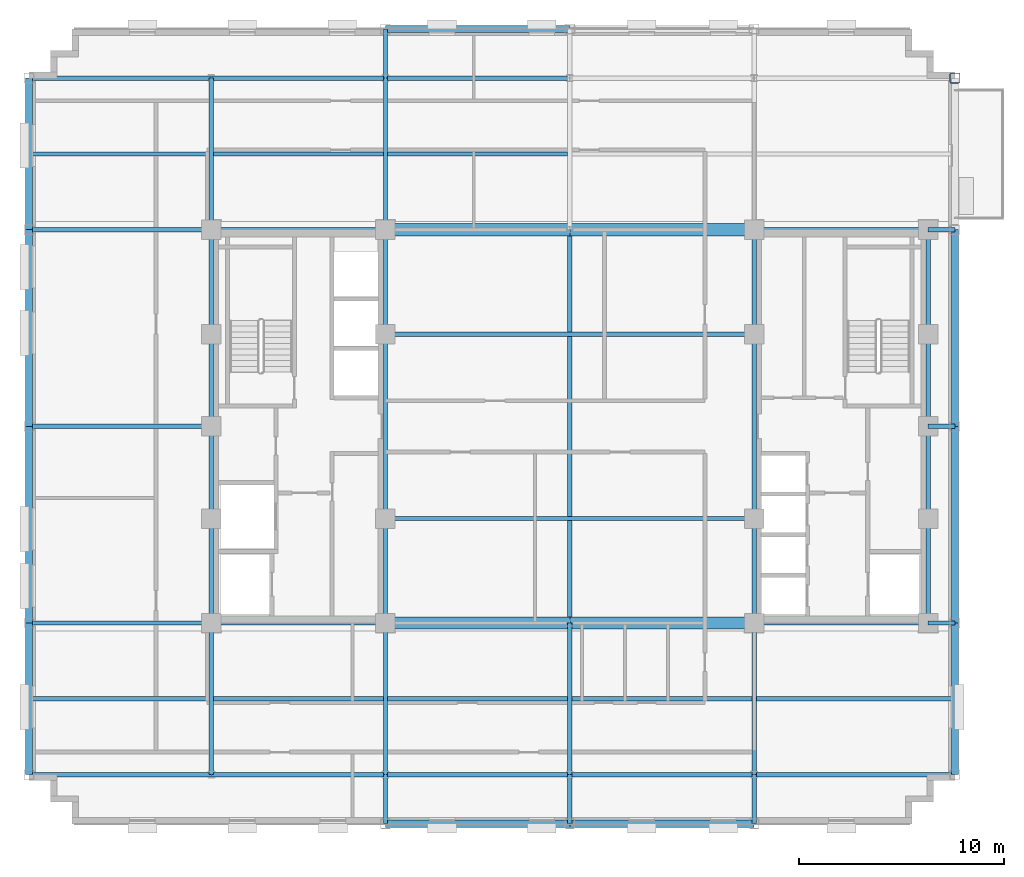
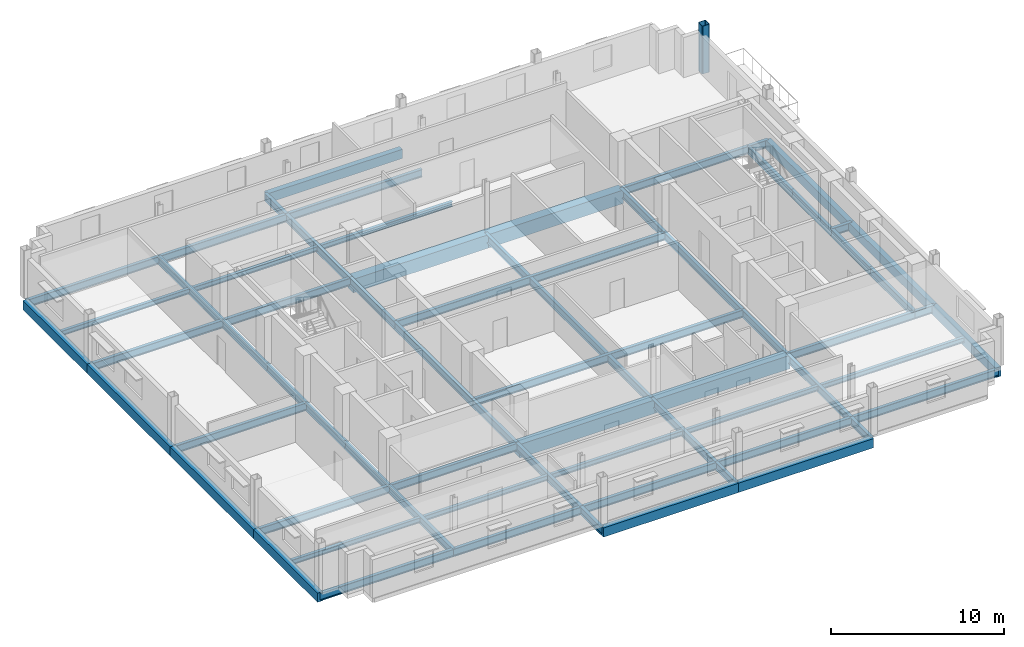
# One storey, part 4 of 13: 67 beams, 1 column.
"""IFC4 building model written with IfcOpenShell, lengths in metres."""

from ifc_helpers import new_model, si_unit, direction, frame, origin, origin_2d, place, context, subcontext, project, spatial, rectangle, hollow_rectangle, i_section, extrude, material, material_profile, profile_set, type_object, element, save


model = new_model("IFC4")

# Units and contexts
model_context = context("Model", 3, precision=1e-05, world=origin(), true_north=direction((0.0, 1.0)))
body_context = subcontext(model_context, "Body", "Model", "MODEL_VIEW")
ifc_project = project(units=[si_unit("LENGTHUNIT", "METRE"), si_unit("AREAUNIT", "SQUARE_METRE"), si_unit("VOLUMEUNIT", "CUBIC_METRE"), si_unit("PLANEANGLEUNIT", "RADIAN"), si_unit("MASSUNIT", "GRAM", prefix="KILO")], contexts=[model_context])

# Site, building, storey
site_placement = place(None, origin())
site = spatial("IfcSite", under=ifc_project, at=site_placement, CompositionType="ELEMENT")
building_placement = place(site_placement, origin())
building = spatial("IfcBuilding", under=site, at=building_placement, Name="Nuvemarco Arch Tower", CompositionType="ELEMENT")
storey_placement = place(building_placement, frame((0.0, 0.0, 212.800048828125)))
storey = spatial("IfcBuildingStorey", under=building, at=storey_placement, Name="L56", CompositionType="ELEMENT", Elevation=212.800048828125)

# Column
ifc_material_1 = material(Name="Steel S355", Category="steel")
ifc_material_profile_1 = material_profile(ifc_material_1, hollow_rectangle(XDim=0.5, YDim=0.5, WallThickness=0.031982421875, InnerFilletRadius=0.031982421875, OuterFilletRadius=0.06396484375, at=origin_2d()), Name="SHS500x500x32")
ifc_profile_set_1 = profile_set([ifc_material_profile_1], Name="Steel S355")
column_type = type_object("IfcColumnType", Name="COL-EXO-500", PredefinedType="COLUMN", material=ifc_profile_set_1)
column_placement = place(storey_placement, frame((18.800048828125, 17.0, 0.0), z_axis=(0.0, 0.0, 1.0), x_axis=(1.0, 0.0, 0.0)))
element("IfcColumn", 1, at=column_placement, inside=storey, type_object=column_type, Name="L56 column CX_+18.8_+17.0", PredefinedType="COLUMN", context=body_context, shape_type="SweptSolid", body=[
    extrude(hollow_rectangle(XDim=0.5, YDim=0.5, WallThickness=0.031982421875, InnerFilletRadius=0.031982421875, OuterFilletRadius=0.06396484375, at=origin_2d()), origin(), (0.0, 0.0, 1.0), 3.369873046875),
])

# Beams
ifc_material_2 = material(Name="Concrete C60/75", Category="concrete")
ifc_material_profile_2 = material_profile(ifc_material_2, rectangle(XDim=0.60009765625, YDim=0.949951171875, at=origin_2d()), Name="RC-BM-600x950")
ifc_profile_set_2 = profile_set([ifc_material_profile_2], Name="Concrete C60/75")
beam_type_1 = type_object("IfcBeamType", Name="BM-COUP-RC", PredefinedType="LINTEL", material=ifc_profile_set_2)
for number, where, z_axis, x_axis, name in (
    (2, (-9.0, -9.60009765625, -0.755126953125), (1.0, 0.0, 0.0), (0.0, 1.0, 0.0), "L56 structural beam BGEW_L56_0_-9.6_-9.0"),
    (3, (0.0, -9.60009765625, -0.755126953125), (1.0, 0.0, 0.0), (0.0, 1.0, 0.0), "L56 structural beam BGEW_L56_0_-9.6_+0.0"),
    (4, (-9.0, 9.60009765625, -0.755126953125), (1.0, 0.0, 0.0), (0.0, 1.0, 0.0), "L56 structural beam BGEW_L56_0_+9.6_-9.0"),
    (5, (0.0, 9.60009765625, -0.755126953125), (1.0, 0.0, 0.0), (0.0, 1.0, 0.0), "L56 structural beam BGEW_L56_0_+9.6_+0.0"),
):
    element("IfcBeam", number, at=place(storey_placement, frame(where, z_axis=z_axis, x_axis=x_axis)), inside=storey, type_object=beam_type_1, Name=name, PredefinedType="LINTEL", context=body_context, shape_type="SweptSolid", body=[
        extrude(rectangle(XDim=0.60009765625, YDim=0.949951171875, at=origin_2d()), origin(), (0.0, 0.0, 1.0), 9.0),
    ])
ifc_material_profile_3 = material_profile(ifc_material_1, i_section(OverallWidth=0.2109375, OverallDepth=0.5390625, WebThickness=0.01171875, FlangeThickness=0.018798828125, FilletRadius=0.01611328125, at=origin_2d()), Name="W530x109")
ifc_profile_set_3 = profile_set([ifc_material_profile_3], Name="Steel S355")
beam_type_2 = type_object("IfcBeamType", Name="BM-GIRD-530", PredefinedType="BEAM", material=ifc_profile_set_3)
beam_1_placement = place(storey_placement, frame((-17.5, -17.0, -0.549560546875), z_axis=(0.0, 1.0, 0.0), x_axis=(-1.0, 0.0, 0.0)))
element("IfcBeam", 6, at=beam_1_placement, inside=storey, type_object=beam_type_2, Name="L56 structural beam BGNS_L56_0_-17.5_-17.0", PredefinedType="BEAM", context=body_context, shape_type="SweptSolid", body=[
    extrude(i_section(OverallWidth=0.2109375, OverallDepth=0.5390625, WebThickness=0.01171875, FlangeThickness=0.018798828125, FilletRadius=0.01611328125, at=origin_2d()), origin(), (0.0, 0.0, 1.0), 7.39990234375),
])
beam_2_placement = place(storey_placement, frame((-17.5, -9.60009765625, -0.549560546875), z_axis=(0.0, 1.0, 0.0), x_axis=(-1.0, 0.0, 0.0)))
element("IfcBeam", 7, at=beam_2_placement, inside=storey, type_object=beam_type_2, Name="L56 structural beam BGNS_L56_0_-17.5_-9.6", PredefinedType="BEAM", context=body_context, shape_type="SweptSolid", body=[
    extrude(i_section(OverallWidth=0.2109375, OverallDepth=0.5390625, WebThickness=0.01171875, FlangeThickness=0.018798828125, FilletRadius=0.01611328125, at=origin_2d()), origin(), (0.0, 0.0, 1.0), 5.10009765625),
])
for number, where, z_axis, x_axis, name in (
    (8, (-17.5, -4.5, -0.549560546875), (0.0, 1.0, 0.0), (-1.0, 0.0, 0.0), "L56 structural beam BGNS_L56_0_-17.5_-4.5"),
    (9, (-17.5, 0.0, -0.549560546875), (0.0, 1.0, 0.0), (-1.0, 0.0, 0.0), "L56 structural beam BGNS_L56_0_-17.5_+0.0"),
):
    element("IfcBeam", number, at=place(storey_placement, frame(where, z_axis=z_axis, x_axis=x_axis)), inside=storey, type_object=beam_type_2, Name=name, PredefinedType="BEAM", context=body_context, shape_type="SweptSolid", body=[
        extrude(i_section(OverallWidth=0.2109375, OverallDepth=0.5390625, WebThickness=0.01171875, FlangeThickness=0.018798828125, FilletRadius=0.01611328125, at=origin_2d()), origin(), (0.0, 0.0, 1.0), 4.5),
    ])
beam_3_placement = place(storey_placement, frame((-17.5, 4.5, -0.549560546875), z_axis=(0.0, 1.0, 0.0), x_axis=(-1.0, 0.0, 0.0)))
element("IfcBeam", 10, at=beam_3_placement, inside=storey, type_object=beam_type_2, Name="L56 structural beam BGNS_L56_0_-17.5_+4.5", PredefinedType="BEAM", context=body_context, shape_type="SweptSolid", body=[
    extrude(i_section(OverallWidth=0.2109375, OverallDepth=0.5390625, WebThickness=0.01171875, FlangeThickness=0.018798828125, FilletRadius=0.01611328125, at=origin_2d()), origin(), (0.0, 0.0, 1.0), 5.10009765625),
])
beam_4_placement = place(storey_placement, frame((-17.5, 9.60009765625, -0.549560546875), z_axis=(0.0, 1.0, 0.0), x_axis=(-1.0, 0.0, 0.0)))
element("IfcBeam", 11, at=beam_4_placement, inside=storey, type_object=beam_type_2, Name="L56 structural beam BGNS_L56_0_-17.5_+9.6", PredefinedType="BEAM", context=body_context, shape_type="SweptSolid", body=[
    extrude(i_section(OverallWidth=0.2109375, OverallDepth=0.5390625, WebThickness=0.01171875, FlangeThickness=0.018798828125, FilletRadius=0.01611328125, at=origin_2d()), origin(), (0.0, 0.0, 1.0), 7.39990234375),
])
beam_5_placement = place(storey_placement, frame((-9.0, -19.39990234375, -0.549560546875), z_axis=(0.0, 1.0, 0.0), x_axis=(-1.0, 0.0, 0.0)))
element("IfcBeam", 12, at=beam_5_placement, inside=storey, type_object=beam_type_2, Name="L56 structural beam BGNS_L56_0_-9.0_-19.4", PredefinedType="BEAM", context=body_context, shape_type="SweptSolid", body=[
    extrude(i_section(OverallWidth=0.2109375, OverallDepth=0.5390625, WebThickness=0.01171875, FlangeThickness=0.018798828125, FilletRadius=0.01611328125, at=origin_2d()), origin(), (0.0, 0.0, 1.0), 2.39990234375),
])
beam_6_placement = place(storey_placement, frame((-9.0, -17.0, -0.549560546875), z_axis=(0.0, 1.0, 0.0), x_axis=(-1.0, 0.0, 0.0)))
element("IfcBeam", 13, at=beam_6_placement, inside=storey, type_object=beam_type_2, Name="L56 structural beam BGNS_L56_0_-9.0_-17.0", PredefinedType="BEAM", context=body_context, shape_type="SweptSolid", body=[
    extrude(i_section(OverallWidth=0.2109375, OverallDepth=0.5390625, WebThickness=0.01171875, FlangeThickness=0.018798828125, FilletRadius=0.01611328125, at=origin_2d()), origin(), (0.0, 0.0, 1.0), 7.39990234375),
])
beam_7_placement = place(storey_placement, frame((-9.0, -9.60009765625, -0.549560546875), z_axis=(0.0, 1.0, 0.0), x_axis=(-1.0, 0.0, 0.0)))
element("IfcBeam", 14, at=beam_7_placement, inside=storey, type_object=beam_type_2, Name="L56 structural beam BGNS_L56_0_-9.0_-9.6", PredefinedType="BEAM", context=body_context, shape_type="SweptSolid", body=[
    extrude(i_section(OverallWidth=0.2109375, OverallDepth=0.5390625, WebThickness=0.01171875, FlangeThickness=0.018798828125, FilletRadius=0.01611328125, at=origin_2d()), origin(), (0.0, 0.0, 1.0), 5.10009765625),
])
beam_8_placement = place(storey_placement, frame((-9.0, -4.5, -0.549560546875), z_axis=(0.0, 1.0, 0.0), x_axis=(-1.0, 0.0, 0.0)))
element("IfcBeam", 15, at=beam_8_placement, inside=storey, type_object=beam_type_2, Name="L56 structural beam BGNS_L56_0_-9.0_-4.5", PredefinedType="BEAM", context=body_context, shape_type="SweptSolid", body=[
    extrude(i_section(OverallWidth=0.2109375, OverallDepth=0.5390625, WebThickness=0.01171875, FlangeThickness=0.018798828125, FilletRadius=0.01611328125, at=origin_2d()), origin(), (0.0, 0.0, 1.0), 9.0),
])
beam_9_placement = place(storey_placement, frame((-9.0, 4.5, -0.549560546875), z_axis=(0.0, 1.0, 0.0), x_axis=(-1.0, 0.0, 0.0)))
element("IfcBeam", 16, at=beam_9_placement, inside=storey, type_object=beam_type_2, Name="L56 structural beam BGNS_L56_0_-9.0_+4.5", PredefinedType="BEAM", context=body_context, shape_type="SweptSolid", body=[
    extrude(i_section(OverallWidth=0.2109375, OverallDepth=0.5390625, WebThickness=0.01171875, FlangeThickness=0.018798828125, FilletRadius=0.01611328125, at=origin_2d()), origin(), (0.0, 0.0, 1.0), 5.10009765625),
])
beam_10_placement = place(storey_placement, frame((-9.0, 9.60009765625, -0.549560546875), z_axis=(0.0, 1.0, 0.0), x_axis=(-1.0, 0.0, 0.0)))
element("IfcBeam", 17, at=beam_10_placement, inside=storey, type_object=beam_type_2, Name="L56 structural beam BGNS_L56_0_-9.0_+9.6", PredefinedType="BEAM", context=body_context, shape_type="SweptSolid", body=[
    extrude(i_section(OverallWidth=0.2109375, OverallDepth=0.5390625, WebThickness=0.01171875, FlangeThickness=0.018798828125, FilletRadius=0.01611328125, at=origin_2d()), origin(), (0.0, 0.0, 1.0), 7.39990234375),
])
for number, where, z_axis, x_axis, name in (
    (18, (-9.0, 17.0, -0.549560546875), (0.0, 1.0, 0.0), (-1.0, 0.0, 0.0), "L56 structural beam BGNS_L56_0_-9.0_+17.0"),
    (19, (0.0, -19.39990234375, -0.549560546875), (0.0, 1.0, 0.0), (-1.0, 0.0, 0.0), "L56 structural beam BGNS_L56_0_+0.0_-19.4"),
):
    element("IfcBeam", number, at=place(storey_placement, frame(where, z_axis=z_axis, x_axis=x_axis)), inside=storey, type_object=beam_type_2, Name=name, PredefinedType="BEAM", context=body_context, shape_type="SweptSolid", body=[
        extrude(i_section(OverallWidth=0.2109375, OverallDepth=0.5390625, WebThickness=0.01171875, FlangeThickness=0.018798828125, FilletRadius=0.01611328125, at=origin_2d()), origin(), (0.0, 0.0, 1.0), 2.39990234375),
    ])
beam_11_placement = place(storey_placement, frame((0.0, -17.0, -0.549560546875), z_axis=(0.0, 1.0, 0.0), x_axis=(-1.0, 0.0, 0.0)))
element("IfcBeam", 20, at=beam_11_placement, inside=storey, type_object=beam_type_2, Name="L56 structural beam BGNS_L56_0_+0.0_-17.0", PredefinedType="BEAM", context=body_context, shape_type="SweptSolid", body=[
    extrude(i_section(OverallWidth=0.2109375, OverallDepth=0.5390625, WebThickness=0.01171875, FlangeThickness=0.018798828125, FilletRadius=0.01611328125, at=origin_2d()), origin(), (0.0, 0.0, 1.0), 7.39990234375),
])
beam_12_placement = place(storey_placement, frame((0.0, -9.60009765625, -0.549560546875), z_axis=(0.0, 1.0, 0.0), x_axis=(-1.0, 0.0, 0.0)))
element("IfcBeam", 21, at=beam_12_placement, inside=storey, type_object=beam_type_2, Name="L56 structural beam BGNS_L56_0_+0.0_-9.6", PredefinedType="BEAM", context=body_context, shape_type="SweptSolid", body=[
    extrude(i_section(OverallWidth=0.2109375, OverallDepth=0.5390625, WebThickness=0.01171875, FlangeThickness=0.018798828125, FilletRadius=0.01611328125, at=origin_2d()), origin(), (0.0, 0.0, 1.0), 19.2001953125),
])
beam_13_placement = place(storey_placement, frame((9.0, -19.39990234375, -0.549560546875), z_axis=(0.0, 1.0, 0.0), x_axis=(-1.0, 0.0, 0.0)))
element("IfcBeam", 22, at=beam_13_placement, inside=storey, type_object=beam_type_2, Name="L56 structural beam BGNS_L56_0_+9.0_-19.4", PredefinedType="BEAM", context=body_context, shape_type="SweptSolid", body=[
    extrude(i_section(OverallWidth=0.2109375, OverallDepth=0.5390625, WebThickness=0.01171875, FlangeThickness=0.018798828125, FilletRadius=0.01611328125, at=origin_2d()), origin(), (0.0, 0.0, 1.0), 2.39990234375),
])
beam_14_placement = place(storey_placement, frame((9.0, -17.0, -0.549560546875), z_axis=(0.0, 1.0, 0.0), x_axis=(-1.0, 0.0, 0.0)))
element("IfcBeam", 23, at=beam_14_placement, inside=storey, type_object=beam_type_2, Name="L56 structural beam BGNS_L56_0_+9.0_-17.0", PredefinedType="BEAM", context=body_context, shape_type="SweptSolid", body=[
    extrude(i_section(OverallWidth=0.2109375, OverallDepth=0.5390625, WebThickness=0.01171875, FlangeThickness=0.018798828125, FilletRadius=0.01611328125, at=origin_2d()), origin(), (0.0, 0.0, 1.0), 7.39990234375),
])
beam_15_placement = place(storey_placement, frame((9.0, -9.60009765625, -0.549560546875), z_axis=(0.0, 1.0, 0.0), x_axis=(-1.0, 0.0, 0.0)))
element("IfcBeam", 24, at=beam_15_placement, inside=storey, type_object=beam_type_2, Name="L56 structural beam BGNS_L56_0_+9.0_-9.6", PredefinedType="BEAM", context=body_context, shape_type="SweptSolid", body=[
    extrude(i_section(OverallWidth=0.2109375, OverallDepth=0.5390625, WebThickness=0.01171875, FlangeThickness=0.018798828125, FilletRadius=0.01611328125, at=origin_2d()), origin(), (0.0, 0.0, 1.0), 5.10009765625),
])
beam_16_placement = place(storey_placement, frame((9.0, -4.5, -0.549560546875), z_axis=(0.0, 1.0, 0.0), x_axis=(-1.0, 0.0, 0.0)))
element("IfcBeam", 25, at=beam_16_placement, inside=storey, type_object=beam_type_2, Name="L56 structural beam BGNS_L56_0_+9.0_-4.5", PredefinedType="BEAM", context=body_context, shape_type="SweptSolid", body=[
    extrude(i_section(OverallWidth=0.2109375, OverallDepth=0.5390625, WebThickness=0.01171875, FlangeThickness=0.018798828125, FilletRadius=0.01611328125, at=origin_2d()), origin(), (0.0, 0.0, 1.0), 9.0),
])
for number, where, z_axis, x_axis, name in (
    (26, (9.0, 4.5, -0.549560546875), (0.0, 1.0, 0.0), (-1.0, 0.0, 0.0), "L56 structural beam BGNS_L56_0_+9.0_+4.5"),
    (27, (17.5, -9.60009765625, -0.549560546875), (0.0, 1.0, 0.0), (-1.0, 0.0, 0.0), "L56 structural beam BGNS_L56_0_+17.5_-9.6"),
):
    element("IfcBeam", number, at=place(storey_placement, frame(where, z_axis=z_axis, x_axis=x_axis)), inside=storey, type_object=beam_type_2, Name=name, PredefinedType="BEAM", context=body_context, shape_type="SweptSolid", body=[
        extrude(i_section(OverallWidth=0.2109375, OverallDepth=0.5390625, WebThickness=0.01171875, FlangeThickness=0.018798828125, FilletRadius=0.01611328125, at=origin_2d()), origin(), (0.0, 0.0, 1.0), 5.10009765625),
    ])
for number, where, z_axis, x_axis, name in (
    (28, (17.5, -4.5, -0.549560546875), (0.0, 1.0, 0.0), (-1.0, 0.0, 0.0), "L56 structural beam BGNS_L56_0_+17.5_-4.5"),
    (29, (17.5, 0.0, -0.549560546875), (0.0, 1.0, 0.0), (-1.0, 0.0, 0.0), "L56 structural beam BGNS_L56_0_+17.5_+0.0"),
):
    element("IfcBeam", number, at=place(storey_placement, frame(where, z_axis=z_axis, x_axis=x_axis)), inside=storey, type_object=beam_type_2, Name=name, PredefinedType="BEAM", context=body_context, shape_type="SweptSolid", body=[
        extrude(i_section(OverallWidth=0.2109375, OverallDepth=0.5390625, WebThickness=0.01171875, FlangeThickness=0.018798828125, FilletRadius=0.01611328125, at=origin_2d()), origin(), (0.0, 0.0, 1.0), 4.5),
    ])
beam_17_placement = place(storey_placement, frame((17.5, 4.5, -0.549560546875), z_axis=(0.0, 1.0, 0.0), x_axis=(-1.0, 0.0, 0.0)))
element("IfcBeam", 30, at=beam_17_placement, inside=storey, type_object=beam_type_2, Name="L56 structural beam BGNS_L56_0_+17.5_+4.5", PredefinedType="BEAM", context=body_context, shape_type="SweptSolid", body=[
    extrude(i_section(OverallWidth=0.2109375, OverallDepth=0.5390625, WebThickness=0.01171875, FlangeThickness=0.018798828125, FilletRadius=0.01611328125, at=origin_2d()), origin(), (0.0, 0.0, 1.0), 5.10009765625),
])
beam_18_placement = place(storey_placement, frame((-26.39990234375, -17.0, -0.549560546875), z_axis=(1.0, 0.0, 0.0), x_axis=(0.0, 1.0, 0.0)))
element("IfcBeam", 31, at=beam_18_placement, inside=storey, type_object=beam_type_2, Name="L56 structural beam BGEW_L56_0_-17.0_-26.4", PredefinedType="BEAM", context=body_context, shape_type="SweptSolid", body=[
    extrude(i_section(OverallWidth=0.2109375, OverallDepth=0.5390625, WebThickness=0.01171875, FlangeThickness=0.018798828125, FilletRadius=0.01611328125, at=origin_2d()), origin(), (0.0, 0.0, 1.0), 8.89990234375),
])
beam_19_placement = place(storey_placement, frame((-17.5, -17.0, -0.549560546875), z_axis=(1.0, 0.0, 0.0), x_axis=(0.0, 1.0, 0.0)))
element("IfcBeam", 32, at=beam_19_placement, inside=storey, type_object=beam_type_2, Name="L56 structural beam BGEW_L56_0_-17.0_-17.5", PredefinedType="BEAM", context=body_context, shape_type="SweptSolid", body=[
    extrude(i_section(OverallWidth=0.2109375, OverallDepth=0.5390625, WebThickness=0.01171875, FlangeThickness=0.018798828125, FilletRadius=0.01611328125, at=origin_2d()), origin(), (0.0, 0.0, 1.0), 8.5),
])
for number, where, z_axis, x_axis, name in (
    (33, (-9.0, -17.0, -0.549560546875), (1.0, 0.0, 0.0), (0.0, 1.0, 0.0), "L56 structural beam BGEW_L56_0_-17.0_-9.0"),
    (34, (0.0, -17.0, -0.549560546875), (1.0, 0.0, 0.0), (0.0, 1.0, 0.0), "L56 structural beam BGEW_L56_0_-17.0_+0.0"),
):
    element("IfcBeam", number, at=place(storey_placement, frame(where, z_axis=z_axis, x_axis=x_axis)), inside=storey, type_object=beam_type_2, Name=name, PredefinedType="BEAM", context=body_context, shape_type="SweptSolid", body=[
        extrude(i_section(OverallWidth=0.2109375, OverallDepth=0.5390625, WebThickness=0.01171875, FlangeThickness=0.018798828125, FilletRadius=0.01611328125, at=origin_2d()), origin(), (0.0, 0.0, 1.0), 9.0),
    ])
beam_20_placement = place(storey_placement, frame((9.0, -17.0, -0.549560546875), z_axis=(1.0, 0.0, 0.0), x_axis=(0.0, 1.0, 0.0)))
element("IfcBeam", 35, at=beam_20_placement, inside=storey, type_object=beam_type_2, Name="L56 structural beam BGEW_L56_0_-17.0_+9.0", PredefinedType="BEAM", context=body_context, shape_type="SweptSolid", body=[
    extrude(i_section(OverallWidth=0.2109375, OverallDepth=0.5390625, WebThickness=0.01171875, FlangeThickness=0.018798828125, FilletRadius=0.01611328125, at=origin_2d()), origin(), (0.0, 0.0, 1.0), 9.800048828125),
])
beam_21_placement = place(storey_placement, frame((-26.39990234375, -9.60009765625, -0.549560546875), z_axis=(1.0, 0.0, 0.0), x_axis=(0.0, 1.0, 0.0)))
element("IfcBeam", 36, at=beam_21_placement, inside=storey, type_object=beam_type_2, Name="L56 structural beam BGEW_L56_0_-9.6_-26.4", PredefinedType="BEAM", context=body_context, shape_type="SweptSolid", body=[
    extrude(i_section(OverallWidth=0.2109375, OverallDepth=0.5390625, WebThickness=0.01171875, FlangeThickness=0.018798828125, FilletRadius=0.01611328125, at=origin_2d()), origin(), (0.0, 0.0, 1.0), 8.89990234375),
])
for number, where, z_axis, x_axis, name in (
    (37, (-17.5, -9.60009765625, -0.549560546875), (1.0, 0.0, 0.0), (0.0, 1.0, 0.0), "L56 structural beam BGEW_L56_0_-9.6_-17.5"),
    (38, (9.0, -9.60009765625, -0.549560546875), (1.0, 0.0, 0.0), (0.0, 1.0, 0.0), "L56 structural beam BGEW_L56_0_-9.6_+9.0"),
):
    element("IfcBeam", number, at=place(storey_placement, frame(where, z_axis=z_axis, x_axis=x_axis)), inside=storey, type_object=beam_type_2, Name=name, PredefinedType="BEAM", context=body_context, shape_type="SweptSolid", body=[
        extrude(i_section(OverallWidth=0.2109375, OverallDepth=0.5390625, WebThickness=0.01171875, FlangeThickness=0.018798828125, FilletRadius=0.01611328125, at=origin_2d()), origin(), (0.0, 0.0, 1.0), 8.5),
    ])
beam_22_placement = place(storey_placement, frame((17.5, -9.60009765625, -0.549560546875), z_axis=(1.0, 0.0, 0.0), x_axis=(0.0, 1.0, 0.0)))
element("IfcBeam", 39, at=beam_22_placement, inside=storey, type_object=beam_type_2, Name="L56 structural beam BGEW_L56_0_-9.6_+17.5", PredefinedType="BEAM", context=body_context, shape_type="SweptSolid", body=[
    extrude(i_section(OverallWidth=0.2109375, OverallDepth=0.5390625, WebThickness=0.01171875, FlangeThickness=0.018798828125, FilletRadius=0.01611328125, at=origin_2d()), origin(), (0.0, 0.0, 1.0), 1.300048828125),
])
beam_23_placement = place(storey_placement, frame((-9.0, -4.5, -0.549560546875), z_axis=(1.0, 0.0, 0.0), x_axis=(0.0, 1.0, 0.0)))
element("IfcBeam", 40, at=beam_23_placement, inside=storey, type_object=beam_type_2, Name="L56 structural beam BGEW_L56_0_-4.5_-9.0", PredefinedType="BEAM", context=body_context, shape_type="SweptSolid", body=[
    extrude(i_section(OverallWidth=0.2109375, OverallDepth=0.5390625, WebThickness=0.01171875, FlangeThickness=0.018798828125, FilletRadius=0.01611328125, at=origin_2d()), origin(), (0.0, 0.0, 1.0), 18.0),
])
beam_24_placement = place(storey_placement, frame((-26.39990234375, 0.0, -0.549560546875), z_axis=(1.0, 0.0, 0.0), x_axis=(0.0, 1.0, 0.0)))
element("IfcBeam", 41, at=beam_24_placement, inside=storey, type_object=beam_type_2, Name="L56 structural beam BGEW_L56_0_+0.0_-26.4", PredefinedType="BEAM", context=body_context, shape_type="SweptSolid", body=[
    extrude(i_section(OverallWidth=0.2109375, OverallDepth=0.5390625, WebThickness=0.01171875, FlangeThickness=0.018798828125, FilletRadius=0.01611328125, at=origin_2d()), origin(), (0.0, 0.0, 1.0), 8.89990234375),
])
beam_25_placement = place(storey_placement, frame((17.5, 0.0, -0.549560546875), z_axis=(1.0, 0.0, 0.0), x_axis=(0.0, 1.0, 0.0)))
element("IfcBeam", 42, at=beam_25_placement, inside=storey, type_object=beam_type_2, Name="L56 structural beam BGEW_L56_0_+0.0_+17.5", PredefinedType="BEAM", context=body_context, shape_type="SweptSolid", body=[
    extrude(i_section(OverallWidth=0.2109375, OverallDepth=0.5390625, WebThickness=0.01171875, FlangeThickness=0.018798828125, FilletRadius=0.01611328125, at=origin_2d()), origin(), (0.0, 0.0, 1.0), 1.300048828125),
])
beam_26_placement = place(storey_placement, frame((-9.0, 4.5, -0.549560546875), z_axis=(1.0, 0.0, 0.0), x_axis=(0.0, 1.0, 0.0)))
element("IfcBeam", 43, at=beam_26_placement, inside=storey, type_object=beam_type_2, Name="L56 structural beam BGEW_L56_0_+4.5_-9.0", PredefinedType="BEAM", context=body_context, shape_type="SweptSolid", body=[
    extrude(i_section(OverallWidth=0.2109375, OverallDepth=0.5390625, WebThickness=0.01171875, FlangeThickness=0.018798828125, FilletRadius=0.01611328125, at=origin_2d()), origin(), (0.0, 0.0, 1.0), 18.0),
])
beam_27_placement = place(storey_placement, frame((-26.39990234375, 9.60009765625, -0.549560546875), z_axis=(1.0, 0.0, 0.0), x_axis=(0.0, 1.0, 0.0)))
element("IfcBeam", 44, at=beam_27_placement, inside=storey, type_object=beam_type_2, Name="L56 structural beam BGEW_L56_0_+9.6_-26.4", PredefinedType="BEAM", context=body_context, shape_type="SweptSolid", body=[
    extrude(i_section(OverallWidth=0.2109375, OverallDepth=0.5390625, WebThickness=0.01171875, FlangeThickness=0.018798828125, FilletRadius=0.01611328125, at=origin_2d()), origin(), (0.0, 0.0, 1.0), 8.89990234375),
])
for number, where, z_axis, x_axis, name in (
    (45, (-17.5, 9.60009765625, -0.549560546875), (1.0, 0.0, 0.0), (0.0, 1.0, 0.0), "L56 structural beam BGEW_L56_0_+9.6_-17.5"),
    (46, (9.0, 9.60009765625, -0.549560546875), (1.0, 0.0, 0.0), (0.0, 1.0, 0.0), "L56 structural beam BGEW_L56_0_+9.6_+9.0"),
):
    element("IfcBeam", number, at=place(storey_placement, frame(where, z_axis=z_axis, x_axis=x_axis)), inside=storey, type_object=beam_type_2, Name=name, PredefinedType="BEAM", context=body_context, shape_type="SweptSolid", body=[
        extrude(i_section(OverallWidth=0.2109375, OverallDepth=0.5390625, WebThickness=0.01171875, FlangeThickness=0.018798828125, FilletRadius=0.01611328125, at=origin_2d()), origin(), (0.0, 0.0, 1.0), 8.5),
    ])
beam_28_placement = place(storey_placement, frame((17.5, 9.60009765625, -0.549560546875), z_axis=(1.0, 0.0, 0.0), x_axis=(0.0, 1.0, 0.0)))
element("IfcBeam", 47, at=beam_28_placement, inside=storey, type_object=beam_type_2, Name="L56 structural beam BGEW_L56_0_+9.6_+17.5", PredefinedType="BEAM", context=body_context, shape_type="SweptSolid", body=[
    extrude(i_section(OverallWidth=0.2109375, OverallDepth=0.5390625, WebThickness=0.01171875, FlangeThickness=0.018798828125, FilletRadius=0.01611328125, at=origin_2d()), origin(), (0.0, 0.0, 1.0), 1.300048828125),
])
beam_29_placement = place(storey_placement, frame((-26.39990234375, 17.0, -0.549560546875), z_axis=(1.0, 0.0, 0.0), x_axis=(0.0, 1.0, 0.0)))
element("IfcBeam", 48, at=beam_29_placement, inside=storey, type_object=beam_type_2, Name="L56 structural beam BGEW_L56_0_+17.0_-26.4", PredefinedType="BEAM", context=body_context, shape_type="SweptSolid", body=[
    extrude(i_section(OverallWidth=0.2109375, OverallDepth=0.5390625, WebThickness=0.01171875, FlangeThickness=0.018798828125, FilletRadius=0.01611328125, at=origin_2d()), origin(), (0.0, 0.0, 1.0), 8.89990234375),
])
beam_30_placement = place(storey_placement, frame((-17.5, 17.0, -0.549560546875), z_axis=(1.0, 0.0, 0.0), x_axis=(0.0, 1.0, 0.0)))
element("IfcBeam", 49, at=beam_30_placement, inside=storey, type_object=beam_type_2, Name="L56 structural beam BGEW_L56_0_+17.0_-17.5", PredefinedType="BEAM", context=body_context, shape_type="SweptSolid", body=[
    extrude(i_section(OverallWidth=0.2109375, OverallDepth=0.5390625, WebThickness=0.01171875, FlangeThickness=0.018798828125, FilletRadius=0.01611328125, at=origin_2d()), origin(), (0.0, 0.0, 1.0), 8.5),
])
beam_31_placement = place(storey_placement, frame((-9.0, 17.0, -0.549560546875), z_axis=(1.0, 0.0, 0.0), x_axis=(0.0, 1.0, 0.0)))
element("IfcBeam", 50, at=beam_31_placement, inside=storey, type_object=beam_type_2, Name="L56 structural beam BGEW_L56_0_+17.0_-9.0", PredefinedType="BEAM", context=body_context, shape_type="SweptSolid", body=[
    extrude(i_section(OverallWidth=0.2109375, OverallDepth=0.5390625, WebThickness=0.01171875, FlangeThickness=0.018798828125, FilletRadius=0.01611328125, at=origin_2d()), origin(), (0.0, 0.0, 1.0), 9.0),
])
ifc_material_profile_4 = material_profile(ifc_material_1, i_section(OverallWidth=0.202880859375, OverallDepth=0.346923828125, WebThickness=0.0078125, FlangeThickness=0.013427734375, FilletRadius=0.014892578125, at=origin_2d()), Name="W360x64")
ifc_profile_set_4 = profile_set([ifc_material_profile_4], Name="Steel S355")
beam_type_3 = type_object("IfcBeamType", Name="BM-JOIST-360", PredefinedType="JOIST", material=ifc_profile_set_4)
beam_32_placement = place(storey_placement, frame((-26.22509765625, -13.300048828125, -0.45361328125), z_axis=(1.0, 0.0, 0.0), x_axis=(0.0, 1.0, 0.0)))
element("IfcBeam", 51, at=beam_32_placement, inside=storey, type_object=beam_type_3, Name="L56 structural beam BJ_L56_0_-13.3_-26.4", PredefinedType="JOIST", context=body_context, shape_type="SweptSolid", body=[
    extrude(i_section(OverallWidth=0.202880859375, OverallDepth=0.346923828125, WebThickness=0.0078125, FlangeThickness=0.013427734375, FilletRadius=0.014892578125, at=origin_2d()), origin(), (0.0, 0.0, 1.0), 8.61962890625),
])
beam_33_placement = place(storey_placement, frame((-17.39453125, -13.300048828125, -0.45361328125), z_axis=(1.0, 0.0, 0.0), x_axis=(0.0, 1.0, 0.0)))
element("IfcBeam", 52, at=beam_33_placement, inside=storey, type_object=beam_type_3, Name="L56 structural beam BJ_L56_0_-13.3_-17.5", PredefinedType="JOIST", context=body_context, shape_type="SweptSolid", body=[
    extrude(i_section(OverallWidth=0.202880859375, OverallDepth=0.346923828125, WebThickness=0.0078125, FlangeThickness=0.013427734375, FilletRadius=0.014892578125, at=origin_2d()), origin(), (0.0, 0.0, 1.0), 8.2890625),
])
for number, where, z_axis, x_axis, name in (
    (53, (-8.89453125, -13.300048828125, -0.45361328125), (1.0, 0.0, 0.0), (0.0, 1.0, 0.0), "L56 structural beam BJ_L56_0_-13.3_-9.0"),
    (54, (0.10546875, -13.300048828125, -0.45361328125), (1.0, 0.0, 0.0), (0.0, 1.0, 0.0), "L56 structural beam BJ_L56_0_-13.3_+0.0"),
):
    element("IfcBeam", number, at=place(storey_placement, frame(where, z_axis=z_axis, x_axis=x_axis)), inside=storey, type_object=beam_type_3, Name=name, PredefinedType="JOIST", context=body_context, shape_type="SweptSolid", body=[
        extrude(i_section(OverallWidth=0.202880859375, OverallDepth=0.346923828125, WebThickness=0.0078125, FlangeThickness=0.013427734375, FilletRadius=0.014892578125, at=origin_2d()), origin(), (0.0, 0.0, 1.0), 8.7890625),
    ])
beam_34_placement = place(storey_placement, frame((9.10546875, -13.300048828125, -0.45361328125), z_axis=(1.0, 0.0, 0.0), x_axis=(0.0, 1.0, 0.0)))
element("IfcBeam", 55, at=beam_34_placement, inside=storey, type_object=beam_type_3, Name="L56 structural beam BJ_L56_0_-13.3_+9.0", PredefinedType="JOIST", context=body_context, shape_type="SweptSolid", body=[
    extrude(i_section(OverallWidth=0.202880859375, OverallDepth=0.346923828125, WebThickness=0.0078125, FlangeThickness=0.013427734375, FilletRadius=0.014892578125, at=origin_2d()), origin(), (0.0, 0.0, 1.0), 9.51953125),
])
beam_35_placement = place(storey_placement, frame((-26.22509765625, 13.300048828125, -0.45361328125), z_axis=(1.0, 0.0, 0.0), x_axis=(0.0, 1.0, 0.0)))
element("IfcBeam", 56, at=beam_35_placement, inside=storey, type_object=beam_type_3, Name="L56 structural beam BJ_L56_0_+13.3_-26.4", PredefinedType="JOIST", context=body_context, shape_type="SweptSolid", body=[
    extrude(i_section(OverallWidth=0.202880859375, OverallDepth=0.346923828125, WebThickness=0.0078125, FlangeThickness=0.013427734375, FilletRadius=0.014892578125, at=origin_2d()), origin(), (0.0, 0.0, 1.0), 8.61962890625),
])
beam_36_placement = place(storey_placement, frame((-17.39453125, 13.300048828125, -0.45361328125), z_axis=(1.0, 0.0, 0.0), x_axis=(0.0, 1.0, 0.0)))
element("IfcBeam", 57, at=beam_36_placement, inside=storey, type_object=beam_type_3, Name="L56 structural beam BJ_L56_0_+13.3_-17.5", PredefinedType="JOIST", context=body_context, shape_type="SweptSolid", body=[
    extrude(i_section(OverallWidth=0.202880859375, OverallDepth=0.346923828125, WebThickness=0.0078125, FlangeThickness=0.013427734375, FilletRadius=0.014892578125, at=origin_2d()), origin(), (0.0, 0.0, 1.0), 8.2890625),
])
beam_37_placement = place(storey_placement, frame((-8.89453125, 13.300048828125, -0.45361328125), z_axis=(1.0, 0.0, 0.0), x_axis=(0.0, 1.0, 0.0)))
element("IfcBeam", 58, at=beam_37_placement, inside=storey, type_object=beam_type_3, Name="L56 structural beam BJ_L56_0_+13.3_-9.0", PredefinedType="JOIST", context=body_context, shape_type="SweptSolid", body=[
    extrude(i_section(OverallWidth=0.202880859375, OverallDepth=0.346923828125, WebThickness=0.0078125, FlangeThickness=0.013427734375, FilletRadius=0.014892578125, at=origin_2d()), origin(), (0.0, 0.0, 1.0), 8.7890625),
])
ifc_material_3 = material(Name="Precast concrete C45/55", Category="concrete")
ifc_material_profile_5 = material_profile(ifc_material_3, rectangle(XDim=0.35009765625, YDim=0.64990234375, at=origin_2d()), Name="PC-SP-350x650")
ifc_profile_set_5 = profile_set([ifc_material_profile_5], Name="Precast concrete C45/55")
beam_type_4 = type_object("IfcBeamType", Name="BM-SPAN-RC", PredefinedType="SPANDREL", material=ifc_profile_set_5)
beam_38_placement = place(storey_placement, frame((-26.39990234375, -17.0, -0.60498046875), z_axis=(0.0, 1.0, 0.0), x_axis=(-1.0, 0.0, 0.0)))
element("IfcBeam", 59, at=beam_38_placement, inside=storey, type_object=beam_type_4, Name="L56 structural beam BGNS_L56_0_-26.4_-17.0", PredefinedType="SPANDREL", context=body_context, shape_type="SweptSolid", body=[
    extrude(rectangle(XDim=0.35009765625, YDim=0.64990234375, at=origin_2d()), origin(), (0.0, 0.0, 1.0), 7.39990234375),
])
for number, where, z_axis, x_axis, name in (
    (60, (-26.39990234375, -9.60009765625, -0.60498046875), (0.0, 1.0, 0.0), (-1.0, 0.0, 0.0), "L56 structural beam BGNS_L56_0_-26.4_-9.6"),
    (61, (-26.39990234375, 0.0, -0.60498046875), (0.0, 1.0, 0.0), (-1.0, 0.0, 0.0), "L56 structural beam BGNS_L56_0_-26.4_+0.0"),
):
    element("IfcBeam", number, at=place(storey_placement, frame(where, z_axis=z_axis, x_axis=x_axis)), inside=storey, type_object=beam_type_4, Name=name, PredefinedType="SPANDREL", context=body_context, shape_type="SweptSolid", body=[
        extrude(rectangle(XDim=0.35009765625, YDim=0.64990234375, at=origin_2d()), origin(), (0.0, 0.0, 1.0), 9.60009765625),
    ])
for number, where, z_axis, x_axis, name in (
    (62, (-26.39990234375, 9.60009765625, -0.60498046875), (0.0, 1.0, 0.0), (-1.0, 0.0, 0.0), "L56 structural beam BGNS_L56_0_-26.4_+9.6"),
    (63, (18.800048828125, -17.0, -0.60498046875), (0.0, 1.0, 0.0), (-1.0, 0.0, 0.0), "L56 structural beam BGNS_L56_0_+18.8_-17.0"),
):
    element("IfcBeam", number, at=place(storey_placement, frame(where, z_axis=z_axis, x_axis=x_axis)), inside=storey, type_object=beam_type_4, Name=name, PredefinedType="SPANDREL", context=body_context, shape_type="SweptSolid", body=[
        extrude(rectangle(XDim=0.35009765625, YDim=0.64990234375, at=origin_2d()), origin(), (0.0, 0.0, 1.0), 7.39990234375),
    ])
for number, where, z_axis, x_axis, name in (
    (64, (18.800048828125, -9.60009765625, -0.60498046875), (0.0, 1.0, 0.0), (-1.0, 0.0, 0.0), "L56 structural beam BGNS_L56_0_+18.8_-9.6"),
    (65, (18.800048828125, 0.0, -0.60498046875), (0.0, 1.0, 0.0), (-1.0, 0.0, 0.0), "L56 structural beam BGNS_L56_0_+18.8_+0.0"),
):
    element("IfcBeam", number, at=place(storey_placement, frame(where, z_axis=z_axis, x_axis=x_axis)), inside=storey, type_object=beam_type_4, Name=name, PredefinedType="SPANDREL", context=body_context, shape_type="SweptSolid", body=[
        extrude(rectangle(XDim=0.35009765625, YDim=0.64990234375, at=origin_2d()), origin(), (0.0, 0.0, 1.0), 9.60009765625),
    ])
for number, where, z_axis, x_axis, name in (
    (66, (-9.0, -19.39990234375, -0.60498046875), (1.0, 0.0, 0.0), (0.0, 1.0, 0.0), "L56 structural beam BGEW_L56_0_-19.4_-9.0"),
    (67, (0.0, -19.39990234375, -0.60498046875), (1.0, 0.0, 0.0), (0.0, 1.0, 0.0), "L56 structural beam BGEW_L56_0_-19.4_+0.0"),
    (68, (-9.0, 19.39990234375, -0.60498046875), (1.0, 0.0, 0.0), (0.0, 1.0, 0.0), "L56 structural beam BGEW_L56_0_+19.4_-9.0"),
):
    element("IfcBeam", number, at=place(storey_placement, frame(where, z_axis=z_axis, x_axis=x_axis)), inside=storey, type_object=beam_type_4, Name=name, PredefinedType="SPANDREL", context=body_context, shape_type="SweptSolid", body=[
        extrude(rectangle(XDim=0.35009765625, YDim=0.64990234375, at=origin_2d()), origin(), (0.0, 0.0, 1.0), 9.0),
    ])

save(model, "model.ifc")
